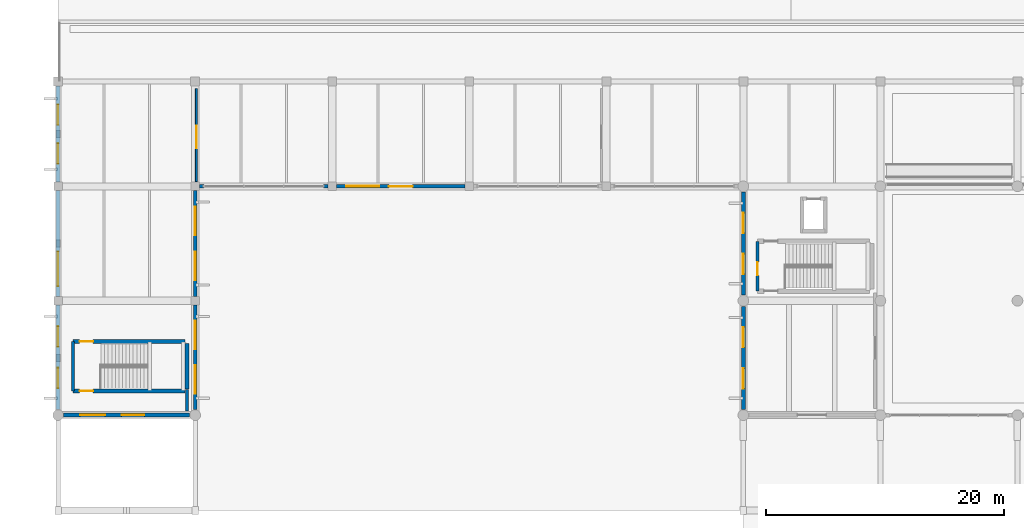
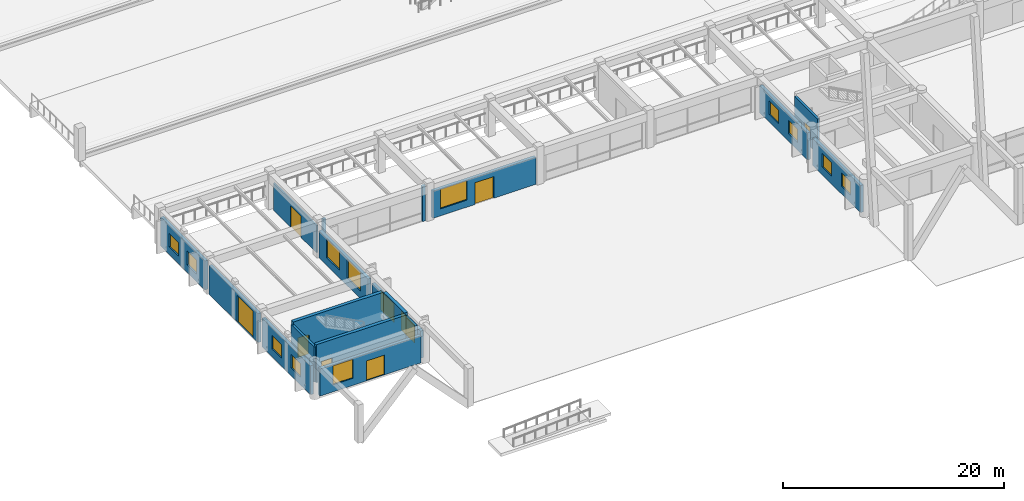
# One storey, part 77 of 109: 18 walls, 14 windows, 7 doors, 21 openings.
"""IFC4 building model written with IfcOpenShell, lengths in metres."""

from ifc_helpers import new_model, si_unit, direction, frame, frame_2d, origin, place, context, subcontext, project, spatial, rectangle, extrude, material, layer, layer_set, type_object, element, fill, save


model = new_model("IFC4")

# Units and contexts
model_context = context("Model", 3, precision=1e-05, world=origin(), true_north=direction((0.0, 1.0)))
body_context = subcontext(model_context, "Body", "Model", "MODEL_VIEW")
ifc_project = project(units=[si_unit("LENGTHUNIT", "METRE"), si_unit("AREAUNIT", "SQUARE_METRE"), si_unit("VOLUMEUNIT", "CUBIC_METRE"), si_unit("PLANEANGLEUNIT", "RADIAN"), si_unit("MASSUNIT", "GRAM", prefix="KILO")], contexts=[model_context])

# Site, building, storey
site_placement = place(None, origin())
site = spatial("IfcSite", under=ifc_project, at=site_placement, CompositionType="ELEMENT")
building_placement = place(site_placement, origin())
building = spatial("IfcBuilding", under=site, at=building_placement, Name="Ologun Quay Terminus", CompositionType="ELEMENT")
storey_placement = place(building_placement, origin())
storey = spatial("IfcBuildingStorey", under=building, at=storey_placement, Name="L00", CompositionType="ELEMENT", Elevation=0.0)

# Walls
ifc_material_1 = material(Name="Concrete C40/50", Category="concrete")
ifc_layer_1 = layer(ifc_material_1, 0.280029296875)
ifc_layer_set_1 = layer_set([ifc_layer_1], Name="Concrete C40/50")
wall_type_1 = type_object("IfcWallType", Name="Courtyard Wing Spandrel Concrete Wall 280", PredefinedType="SOLIDWALL", material=ifc_layer_set_1)
for number, where, z_axis, x_axis, name in (
    (1, (11.8701171875, 27.199951171875, 0.0), (0.0, 0.0, 1.0), (1.0, 0.0, 0.0), "Curtain Wall Jamb Pier CW-L00-001-J1"),
    (2, (22.280029296875, 27.199951171875, 0.0), (0.0, 0.0, 1.0), (1.0, 0.0, 0.0), "Curtain Wall Jamb Pier CW-L00-001-J2"),
):
    element("IfcWall", number, at=place(storey_placement, frame(where, z_axis=z_axis, x_axis=x_axis)), inside=storey, type_object=wall_type_1, Name=name, PredefinedType="SOLIDWALL", context=body_context, shape_type="SweptSolid", body=[
        extrude(rectangle(XDim=0.349853515625, YDim=0.280029296875, at=frame_2d((0.1748046875, 0.0))), origin(), (0.0, 0.0, 1.0), 3.8798828125),
    ])
ifc_material_2 = material(Name="Concrete C40/50", Category="concrete")
ifc_layer_2 = layer(ifc_material_2, 0.239990234375)
ifc_layer_set_2 = layer_set([ifc_layer_2], Name="Concrete C40/50")
wall_type_2 = type_object("IfcWallType", Name="Fire Compartment Blockwork Wall 240", PredefinedType="SOLIDWALL", material=ifc_layer_set_2)
wall_1_placement = place(storey_placement, frame((1.25, 10.02001953125, 0.0), z_axis=(0.0, 0.0, 1.0), x_axis=(0.0, 1.0, 0.0)))
element("IfcWall", 3, at=wall_1_placement, inside=storey, type_object=wall_type_2, Name="PW-01 Partition ST-S1-W", PredefinedType="SOLIDWALL", context=body_context, shape_type="SweptSolid", body=[
    extrude(rectangle(XDim=4.159912109375, YDim=0.239990234375, at=frame_2d((2.080078125, 0.0))), origin(), (0.0, 0.0, 1.0), 3.8798828125),
])

# Wall, opening, door
wall_2_placement = place(storey_placement, frame((58.699951171875, 18.419921875, 0.0), z_axis=(0.0, 0.0, 1.0), x_axis=(0.0, 1.0, 0.0)))
wall_2 = element("IfcWall", 4, at=wall_2_placement, inside=storey, type_object=wall_type_2, Name="PW-01 Partition ST-S3-W", PredefinedType="SOLIDWALL", context=body_context, shape_type="SweptSolid", body=[
    extrude(rectangle(XDim=4.16015625, YDim=0.239990234375, at=frame_2d((2.080078125, 0.0))), origin(), (0.0, 0.0, 1.0), 3.8798828125),
])
opening_1_placement = place(wall_2_placement, frame((1.300048828125, 0.0, 0.0)))
opening_1 = element("IfcOpeningElement", 5, at=opening_1_placement, cuts=wall_2, Name="Opening ID-252", PredefinedType="OPENING", context=body_context, shape_type="SweptSolid", body=[
    extrude(rectangle(XDim=1.1298828125, YDim=2.14990234375, at=frame_2d((0.56494140625, 1.074951171875))), frame((0.0, 0.1298828125, 0.0), z_axis=(0.0, -1.0, 0.0), x_axis=(1.0, 0.0, 0.0)), (0.0, 0.0, 1.0), 0.260009765625),
])
ifc_material_3 = material(Name="Steel S355", Category="steel")
door_type_1 = type_object("IfcDoorType", Name="Stairwell Fire Escape Door 1130x2150", OperationType="SINGLE_SWING_LEFT", PredefinedType="DOOR", material=ifc_material_3)
door_1_placement = place(opening_1_placement, origin())
door_1 = element("IfcDoor", 6, at=door_1_placement, inside=storey, type_object=door_type_1, Name="FD-01 Door ID-252", OperationType="SINGLE_SWING_LEFT", OverallHeight=2.14990234375, OverallWidth=1.1298828125, PredefinedType="DOOR", context=body_context, shape_type="SweptSolid", body=[
    extrude(rectangle(XDim=1.1298828125, YDim=2.14990234375, at=frame_2d((0.56494140625, 1.074951171875))), frame((0.0, 0.02490234375, 0.0), z_axis=(0.0, -1.0, 0.0), x_axis=(1.0, 0.0, 0.0)), (0.0, 0.0, 1.0), 0.050048828125),
])
fill(opening_1, door_1)

# Wall
wall_3_placement = place(storey_placement, frame((10.824951171875, 8.35009765625, 0.0), z_axis=(0.0, 0.0, 1.0), x_axis=(0.0, 1.0, 0.0)))
element("IfcWall", 7, at=wall_3_placement, inside=storey, type_object=wall_type_2, Name="PW-01 Partition L00-EXPS1-E", PredefinedType="SOLIDWALL", context=body_context, shape_type="SweptSolid", body=[
    extrude(rectangle(XDim=1.7998046875, YDim=0.239990234375, at=frame_2d((0.89990234375, 0.0))), origin(), (0.0, 0.0, 1.0), 3.8798828125),
])

# Wall, openings, window, door
ifc_material_4 = material(Name="Concrete C40/50", Category="concrete")
ifc_layer_3 = layer(ifc_material_4, 0.320068359375)
ifc_layer_set_3 = layer_set([ifc_layer_3], Name="Concrete C40/50")
wall_type_3 = type_object("IfcWallType", Name="Podium Sculpted Concrete Facade Wall 320", PredefinedType="SOLIDWALL", material=ifc_layer_set_3)
wall_4_placement = place(storey_placement, frame((0.469970703125, 8.0, 0.0), z_axis=(0.0, 0.0, 1.0), x_axis=(1.0, 0.0, 0.0)))
wall_4 = element("IfcWall", 8, at=wall_4_placement, inside=storey, type_object=wall_type_3, Name="EW-01 Facade Wall WEW-SA-L00-1-1", PredefinedType="SOLIDWALL", context=body_context, shape_type="SweptSolid", body=[
    extrude(rectangle(XDim=10.56005859375, YDim=0.320068359375, at=frame_2d((5.280029296875, 0.0))), origin(), (0.0, 0.0, 1.0), 3.0),
])
opening_2_placement = place(wall_4_placement, frame((4.85791015625, 0.0, 0.0)))
opening_2 = element("IfcOpeningElement", 9, at=opening_2_placement, cuts=wall_4, Name="Opening ED-001", PredefinedType="OPENING", context=body_context, shape_type="SweptSolid", body=[
    extrude(rectangle(XDim=1.89990234375, YDim=2.199951171875, at=frame_2d((0.949951171875, 1.10009765625))), frame((0.0, 0.169921875, 0.0), z_axis=(0.0, -1.0, 0.0), x_axis=(1.0, 0.0, 0.0)), (0.0, 0.0, 1.0), 0.340087890625),
])
opening_3_placement = place(wall_4_placement, frame((1.37890625, 0.0, 0.780029296875)))
opening_3 = element("IfcOpeningElement", 10, at=opening_3_placement, cuts=wall_4, Name="Opening WN-001", PredefinedType="OPENING", context=body_context, shape_type="SweptSolid", body=[
    extrude(rectangle(XDim=2.10009765625, YDim=2.10009765625, at=frame_2d((1.050048828125, 1.050048828125))), frame((0.0, 0.169921875, 0.0), z_axis=(0.0, -1.0, 0.0), x_axis=(1.0, 0.0, 0.0)), (0.0, 0.0, 1.0), 0.340087890625),
])
ifc_material_5 = material(Name="Glass", Category="glass")
window_type_1 = type_object("IfcWindowType", Name="Retail Corner Window 2100x2100", PartitioningType="SINGLE_PANEL", PredefinedType="WINDOW", material=ifc_material_5)
window_1_placement = place(opening_3_placement, origin())
window_1 = element("IfcWindow", 11, at=window_1_placement, inside=storey, type_object=window_type_1, Name="W-02 Window WN-001", OverallHeight=2.10009765625, OverallWidth=2.10009765625, PartitioningType="SINGLE_PANEL", PredefinedType="WINDOW", context=body_context, shape_type="SweptSolid", body=[
    extrude(rectangle(XDim=2.10009765625, YDim=2.10009765625, at=frame_2d((1.050048828125, 1.050048828125))), frame((0.0, 0.030029296875, 0.0), z_axis=(0.0, -1.0, 0.0), x_axis=(1.0, 0.0, 0.0)), (0.0, 0.0, 1.0), 0.06005859375),
])
fill(opening_3, window_1)
ifc_material_6 = material(Name="Steel S355", Category="steel")
door_type_2 = type_object("IfcDoorType", Name="Station Perimeter Final Exit Pair 1900x2200", OperationType="DOUBLE_DOOR_SINGLE_SWING", PredefinedType="DOOR", material=ifc_material_6)
door_2_placement = place(opening_2_placement, frame((0.949951171875, 0.0, 0.0), z_axis=(0.0, 0.0, 1.0), x_axis=(-1.0, 0.0, 0.0)))
door_2 = element("IfcDoor", 12, at=door_2_placement, inside=storey, type_object=door_type_2, Name="D-04 Exterior Door ED-001", OperationType="DOUBLE_DOOR_SINGLE_SWING", OverallHeight=2.199951171875, OverallWidth=1.89990234375, PredefinedType="DOOR", context=body_context, shape_type="SweptSolid", body=[
    extrude(rectangle(XDim=1.89990234375, YDim=2.199951171875, at=frame_2d((0.0, 1.10009765625))), frame((0.0, 0.02490234375, 0.0), z_axis=(0.0, -1.0, 0.0), x_axis=(1.0, 0.0, 0.0)), (0.0, 0.0, 1.0), 0.050048828125),
])
fill(opening_2, door_2)

# Wall, openings, windows
wall_5_placement = place(storey_placement, frame((11.5, 8.469970703125, 0.0), z_axis=(0.0, 0.0, 1.0), x_axis=(0.0, 1.0, 0.0)))
wall_5 = element("IfcWall", 13, at=wall_5_placement, inside=storey, type_object=wall_type_3, Name="EW-01 Facade Wall WEW-SA-L00-1-2", PredefinedType="SOLIDWALL", context=body_context, shape_type="SweptSolid", body=[
    extrude(rectangle(XDim=8.760009765625, YDim=0.320068359375, at=frame_2d((4.3798828125, 0.0))), origin(), (0.0, 0.0, 1.0), 3.0),
])
opening_4_placement = place(wall_5_placement, frame((1.320068359375, 0.0, 0.840087890625)))
opening_4 = element("IfcOpeningElement", 14, at=opening_4_placement, cuts=wall_5, Name="Opening WN-002", PredefinedType="OPENING", context=body_context, shape_type="SweptSolid", body=[
    extrude(rectangle(XDim=2.39990234375, YDim=2.10009765625, at=frame_2d((1.199951171875, 1.050048828125))), frame((0.0, 0.169921875, 0.0), z_axis=(0.0, -1.0, 0.0), x_axis=(1.0, 0.0, 0.0)), (0.0, 0.0, 1.0), 0.340087890625),
])
opening_5_placement = place(wall_5_placement, frame((5.0400390625, 0.0, 0.840087890625)))
opening_5 = element("IfcOpeningElement", 15, at=opening_5_placement, cuts=wall_5, Name="Opening WN-003", PredefinedType="OPENING", context=body_context, shape_type="SweptSolid", body=[
    extrude(rectangle(XDim=2.39990234375, YDim=2.10009765625, at=frame_2d((1.199951171875, 1.050048828125))), frame((0.0, 0.169921875, 0.0), z_axis=(0.0, -1.0, 0.0), x_axis=(1.0, 0.0, 0.0)), (0.0, 0.0, 1.0), 0.340087890625),
])
ifc_material_7 = material(Name="Glass", Category="glass")
window_type_2 = type_object("IfcWindowType", Name="Retail Display Window 2400x2100", PartitioningType="SINGLE_PANEL", PredefinedType="WINDOW", material=ifc_material_7)
window_2_placement = place(opening_4_placement, origin())
window_2 = element("IfcWindow", 16, at=window_2_placement, inside=storey, type_object=window_type_2, Name="W-01 Window WN-002", OverallHeight=2.10009765625, OverallWidth=2.39990234375, PartitioningType="SINGLE_PANEL", PredefinedType="WINDOW", context=body_context, shape_type="SweptSolid", body=[
    extrude(rectangle(XDim=2.39990234375, YDim=2.10009765625, at=frame_2d((1.199951171875, 1.050048828125))), frame((0.0, 0.030029296875, 0.0), z_axis=(0.0, -1.0, 0.0), x_axis=(1.0, 0.0, 0.0)), (0.0, 0.0, 1.0), 0.06005859375),
])
fill(opening_4, window_2)
window_3_placement = place(opening_5_placement, origin())
window_3 = element("IfcWindow", 17, at=window_3_placement, inside=storey, type_object=window_type_2, Name="W-01 Window WN-003", OverallHeight=2.10009765625, OverallWidth=2.39990234375, PartitioningType="SINGLE_PANEL", PredefinedType="WINDOW", context=body_context, shape_type="SweptSolid", body=[
    extrude(rectangle(XDim=2.39990234375, YDim=2.10009765625, at=frame_2d((1.199951171875, 1.050048828125))), frame((0.0, 0.030029296875, 0.0), z_axis=(0.0, -1.0, 0.0), x_axis=(1.0, 0.0, 0.0)), (0.0, 0.0, 1.0), 0.06005859375),
])
fill(opening_5, window_3)

wall_6_placement = place(storey_placement, frame((11.5, 17.969970703125, 0.0), z_axis=(0.0, 0.0, 1.0), x_axis=(0.0, 1.0, 0.0)))
wall_6 = element("IfcWall", 18, at=wall_6_placement, inside=storey, type_object=wall_type_3, Name="EW-01 Facade Wall WEW-SA-L00-1-3", PredefinedType="SOLIDWALL", context=body_context, shape_type="SweptSolid", body=[
    extrude(rectangle(XDim=8.860107421875, YDim=0.320068359375, at=frame_2d((4.43017578125, 0.0))), origin(), (0.0, 0.0, 1.0), 3.0),
])
opening_6_placement = place(wall_6_placement, frame((1.353271484375, 0.0, 0.840087890625)))
opening_6 = element("IfcOpeningElement", 19, at=opening_6_placement, cuts=wall_6, Name="Opening WN-004", PredefinedType="OPENING", context=body_context, shape_type="SweptSolid", body=[
    extrude(rectangle(XDim=2.39990234375, YDim=2.10009765625, at=frame_2d((1.199951171875, 1.050048828125))), frame((0.0, 0.169921875, 0.0), z_axis=(0.0, -1.0, 0.0), x_axis=(1.0, 0.0, 0.0)), (0.0, 0.0, 1.0), 0.340087890625),
])
opening_7_placement = place(wall_6_placement, frame((5.106689453125, 0.0, 0.840087890625)))
opening_7 = element("IfcOpeningElement", 20, at=opening_7_placement, cuts=wall_6, Name="Opening WN-005", PredefinedType="OPENING", context=body_context, shape_type="SweptSolid", body=[
    extrude(rectangle(XDim=2.39990234375, YDim=2.10009765625, at=frame_2d((1.199951171875, 1.050048828125))), frame((0.0, 0.169921875, 0.0), z_axis=(0.0, -1.0, 0.0), x_axis=(1.0, 0.0, 0.0)), (0.0, 0.0, 1.0), 0.340087890625),
])
window_4_placement = place(opening_6_placement, origin())
window_4 = element("IfcWindow", 21, at=window_4_placement, inside=storey, type_object=window_type_2, Name="W-01 Window WN-004", OverallHeight=2.10009765625, OverallWidth=2.39990234375, PartitioningType="SINGLE_PANEL", PredefinedType="WINDOW", context=body_context, shape_type="SweptSolid", body=[
    extrude(rectangle(XDim=2.39990234375, YDim=2.10009765625, at=frame_2d((1.199951171875, 1.050048828125))), frame((0.0, 0.030029296875, 0.0), z_axis=(0.0, -1.0, 0.0), x_axis=(1.0, 0.0, 0.0)), (0.0, 0.0, 1.0), 0.06005859375),
])
fill(opening_6, window_4)
window_5_placement = place(opening_7_placement, origin())
window_5 = element("IfcWindow", 22, at=window_5_placement, inside=storey, type_object=window_type_2, Name="W-01 Window WN-005", OverallHeight=2.10009765625, OverallWidth=2.39990234375, PartitioningType="SINGLE_PANEL", PredefinedType="WINDOW", context=body_context, shape_type="SweptSolid", body=[
    extrude(rectangle(XDim=2.39990234375, YDim=2.10009765625, at=frame_2d((1.199951171875, 1.050048828125))), frame((0.0, 0.030029296875, 0.0), z_axis=(0.0, -1.0, 0.0), x_axis=(1.0, 0.0, 0.0)), (0.0, 0.0, 1.0), 0.06005859375),
])
fill(opening_7, window_5)

# Wall, openings, window, door
wall_7_placement = place(storey_placement, frame((23.3701171875, 27.199951171875, 0.0), z_axis=(0.0, 0.0, 1.0), x_axis=(1.0, 0.0, 0.0)))
wall_7 = element("IfcWall", 23, at=wall_7_placement, inside=storey, type_object=wall_type_3, Name="EW-01 Facade Wall WEW-FC-L00-1-5", PredefinedType="SOLIDWALL", context=body_context, shape_type="SweptSolid", body=[
    extrude(rectangle(XDim=10.759765625, YDim=0.320068359375, at=frame_2d((5.3798828125, 0.0))), origin(), (0.0, 0.0, 1.0), 3.0),
])
opening_8_placement = place(wall_7_placement, frame((4.3798828125, 0.0, 0.0)))
opening_8 = element("IfcOpeningElement", 24, at=opening_8_placement, cuts=wall_7, Name="Opening ED-002", PredefinedType="OPENING", context=body_context, shape_type="SweptSolid", body=[
    extrude(rectangle(XDim=2.0, YDim=2.39990234375, at=frame_2d((1.0, 1.199951171875))), frame((0.0, 0.169921875, 0.0), z_axis=(0.0, -1.0, 0.0), x_axis=(1.0, 0.0, 0.0)), (0.0, 0.0, 1.0), 0.340087890625),
])
opening_9_placement = place(wall_7_placement, frame((0.81494140625, 0.0, 0.780029296875)))
opening_9 = element("IfcOpeningElement", 25, at=opening_9_placement, cuts=wall_7, Name="Opening WN-006", PredefinedType="OPENING", context=body_context, shape_type="SweptSolid", body=[
    extrude(rectangle(XDim=2.75, YDim=2.14990234375, at=frame_2d((1.375, 1.074951171875))), frame((0.0, 0.169921875, 0.0), z_axis=(0.0, -1.0, 0.0), x_axis=(1.0, 0.0, 0.0)), (0.0, 0.0, 1.0), 0.340087890625),
])
ifc_material_8 = material(Name="Glass", Category="glass")
window_type_3 = type_object("IfcWindowType", Name="Bookshop Showcase Window 2750x2150", PartitioningType="SINGLE_PANEL", PredefinedType="WINDOW", material=ifc_material_8)
window_6_placement = place(opening_9_placement, origin())
window_6 = element("IfcWindow", 26, at=window_6_placement, inside=storey, type_object=window_type_3, Name="W-33 Window WN-006", OverallHeight=2.14990234375, OverallWidth=2.75, PartitioningType="SINGLE_PANEL", PredefinedType="WINDOW", context=body_context, shape_type="SweptSolid", body=[
    extrude(rectangle(XDim=2.75, YDim=2.14990234375, at=frame_2d((1.375, 1.074951171875))), frame((0.0, 0.030029296875, 0.0), z_axis=(0.0, -1.0, 0.0), x_axis=(1.0, 0.0, 0.0)), (0.0, 0.0, 1.0), 0.06005859375),
])
fill(opening_9, window_6)
ifc_material_9 = material(Name="Glass", Category="glass")
door_type_3 = type_object("IfcDoorType", Name="Promenade Retail Entrance Double Door 2000x2400", OperationType="DOUBLE_DOOR_SINGLE_SWING", PredefinedType="DOOR", material=ifc_material_9)
door_3_placement = place(opening_8_placement, frame((1.0, 0.0, 0.0), z_axis=(0.0, 0.0, 1.0), x_axis=(-1.0, 0.0, 0.0)))
door_3 = element("IfcDoor", 27, at=door_3_placement, inside=storey, type_object=door_type_3, Name="D-02 Exterior Door ED-002", OperationType="DOUBLE_DOOR_SINGLE_SWING", OverallHeight=2.39990234375, OverallWidth=2.0, PredefinedType="DOOR", context=body_context, shape_type="SweptSolid", body=[
    extrude(rectangle(XDim=2.0, YDim=2.39990234375, at=frame_2d((0.0, 1.199951171875))), frame((0.0, 0.02490234375, 0.0), z_axis=(0.0, -1.0, 0.0), x_axis=(1.0, 0.0, 0.0)), (0.0, 0.0, 1.0), 0.050048828125),
])
fill(opening_8, door_3)

# Wall, openings, windows
wall_8_placement = place(storey_placement, frame((0.0, 8.469970703125, 0.0), z_axis=(0.0, 0.0, 1.0), x_axis=(0.0, 1.0, 0.0)))
wall_8 = element("IfcWall", 28, at=wall_8_placement, inside=storey, type_object=wall_type_3, Name="EW-01 Facade Wall WEW-SA-L00-1-14", PredefinedType="SOLIDWALL", context=body_context, shape_type="SweptSolid", body=[
    extrude(rectangle(XDim=8.760009765625, YDim=0.320068359375, at=frame_2d((4.3798828125, 0.0))), origin(), (0.0, 0.0, 1.0), 3.199951171875),
])
opening_10_placement = place(wall_8_placement, frame((1.78662109375, 0.0, 0.85009765625)))
opening_10 = element("IfcOpeningElement", 29, at=opening_10_placement, cuts=wall_8, Name="Opening WN-007", PredefinedType="OPENING", context=body_context, shape_type="SweptSolid", body=[
    extrude(rectangle(XDim=1.699951171875, YDim=1.5, at=frame_2d((0.85009765625, 0.75))), frame((0.0, 0.169921875, 0.0), z_axis=(0.0, -1.0, 0.0), x_axis=(1.0, 0.0, 0.0)), (0.0, 0.0, 1.0), 0.340087890625),
])
opening_11_placement = place(wall_8_placement, frame((5.273193359375, 0.0, 0.85009765625)))
opening_11 = element("IfcOpeningElement", 30, at=opening_11_placement, cuts=wall_8, Name="Opening WN-008", PredefinedType="OPENING", context=body_context, shape_type="SweptSolid", body=[
    extrude(rectangle(XDim=1.699951171875, YDim=1.5, at=frame_2d((0.85009765625, 0.75))), frame((0.0, 0.169921875, 0.0), z_axis=(0.0, -1.0, 0.0), x_axis=(1.0, 0.0, 0.0)), (0.0, 0.0, 1.0), 0.340087890625),
])
ifc_material_10 = material(Name="Glass", Category="glass")
window_type_4 = type_object("IfcWindowType", Name="Left Luggage Service Window 1700x1500", PartitioningType="SINGLE_PANEL", PredefinedType="WINDOW", material=ifc_material_10)
window_7_placement = place(opening_10_placement, origin())
window_7 = element("IfcWindow", 31, at=window_7_placement, inside=storey, type_object=window_type_4, Name="W-34 Window WN-007", OverallHeight=1.5, OverallWidth=1.699951171875, PartitioningType="SINGLE_PANEL", PredefinedType="WINDOW", context=body_context, shape_type="SweptSolid", body=[
    extrude(rectangle(XDim=1.699951171875, YDim=1.5, at=frame_2d((0.85009765625, 0.75))), frame((0.0, 0.030029296875, 0.0), z_axis=(0.0, -1.0, 0.0), x_axis=(1.0, 0.0, 0.0)), (0.0, 0.0, 1.0), 0.06005859375),
])
fill(opening_10, window_7)
window_8_placement = place(opening_11_placement, origin())
window_8 = element("IfcWindow", 32, at=window_8_placement, inside=storey, type_object=window_type_4, Name="W-34 Window WN-008", OverallHeight=1.5, OverallWidth=1.699951171875, PartitioningType="SINGLE_PANEL", PredefinedType="WINDOW", context=body_context, shape_type="SweptSolid", body=[
    extrude(rectangle(XDim=1.699951171875, YDim=1.5, at=frame_2d((0.85009765625, 0.75))), frame((0.0, 0.030029296875, 0.0), z_axis=(0.0, -1.0, 0.0), x_axis=(1.0, 0.0, 0.0)), (0.0, 0.0, 1.0), 0.06005859375),
])
fill(opening_11, window_8)

# Wall, opening, door
wall_9_placement = place(storey_placement, frame((0.0, 17.969970703125, 0.0), z_axis=(0.0, 0.0, 1.0), x_axis=(0.0, 1.0, 0.0)))
wall_9 = element("IfcWall", 33, at=wall_9_placement, inside=storey, type_object=wall_type_3, Name="EW-01 Facade Wall WEW-SA-L00-1-15", PredefinedType="SOLIDWALL", context=body_context, shape_type="SweptSolid", body=[
    extrude(rectangle(XDim=8.860107421875, YDim=0.320068359375, at=frame_2d((4.43017578125, 0.0))), origin(), (0.0, 0.0, 1.0), 3.199951171875),
])
opening_12_placement = place(wall_9_placement, frame((0.853515625, 0.0, 0.0)))
opening_12 = element("IfcOpeningElement", 34, at=opening_12_placement, cuts=wall_9, Name="Opening ED-003", PredefinedType="OPENING", context=body_context, shape_type="SweptSolid", body=[
    extrude(rectangle(XDim=2.89990234375, YDim=2.949951171875, at=frame_2d((1.449951171875, 1.47509765625))), frame((0.0, 0.169921875, 0.0), z_axis=(0.0, -1.0, 0.0), x_axis=(1.0, 0.0, 0.0)), (0.0, 0.0, 1.0), 0.340087890625),
])
ifc_material_11 = material(Name="Steel S355", Category="steel")
door_type_4 = type_object("IfcDoorType", Name="Parcel Yard Security Shutter Gate 2900x2950", OperationType="ROLLINGUP", PredefinedType="GATE", material=ifc_material_11)
door_4_placement = place(opening_12_placement, origin())
door_4 = element("IfcDoor", 35, at=door_4_placement, inside=storey, type_object=door_type_4, Name="D-14 Exterior Door ED-003", OperationType="ROLLINGUP", OverallHeight=2.949951171875, OverallWidth=2.89990234375, PredefinedType="GATE", context=body_context, shape_type="SweptSolid", body=[
    extrude(rectangle(XDim=2.89990234375, YDim=2.949951171875, at=frame_2d((1.449951171875, 1.47509765625))), frame((0.0, 0.02490234375, 0.0), z_axis=(0.0, -1.0, 0.0), x_axis=(1.0, 0.0, 0.0)), (0.0, 0.0, 1.0), 0.050048828125),
])
fill(opening_12, door_4)

# Wall, openings, windows
wall_10_placement = place(storey_placement, frame((0.0, 27.570068359375, 0.0), z_axis=(0.0, 0.0, 1.0), x_axis=(0.0, 1.0, 0.0)))
wall_10 = element("IfcWall", 36, at=wall_10_placement, inside=storey, type_object=wall_type_3, Name="EW-01 Facade Wall WEW-SA-L00-1-16", PredefinedType="SOLIDWALL", context=body_context, shape_type="SweptSolid", body=[
    extrude(rectangle(XDim=8.034912109375, YDim=0.320068359375, at=frame_2d((4.017578125, 0.0))), origin(), (0.0, 0.0, 1.0), 3.199951171875),
])
opening_13_placement = place(wall_10_placement, frame((1.544921875, 0.0, 0.85009765625)))
opening_13 = element("IfcOpeningElement", 37, at=opening_13_placement, cuts=wall_10, Name="Opening WN-009", PredefinedType="OPENING", context=body_context, shape_type="SweptSolid", body=[
    extrude(rectangle(XDim=1.699951171875, YDim=1.5, at=frame_2d((0.85009765625, 0.75))), frame((0.0, 0.169921875, 0.0), z_axis=(0.0, -1.0, 0.0), x_axis=(1.0, 0.0, 0.0)), (0.0, 0.0, 1.0), 0.340087890625),
])
opening_14_placement = place(wall_10_placement, frame((4.7900390625, 0.0, 0.85009765625)))
opening_14 = element("IfcOpeningElement", 38, at=opening_14_placement, cuts=wall_10, Name="Opening WN-010", PredefinedType="OPENING", context=body_context, shape_type="SweptSolid", body=[
    extrude(rectangle(XDim=1.699951171875, YDim=1.5, at=frame_2d((0.85009765625, 0.75))), frame((0.0, 0.169921875, 0.0), z_axis=(0.0, -1.0, 0.0), x_axis=(1.0, 0.0, 0.0)), (0.0, 0.0, 1.0), 0.340087890625),
])
window_9_placement = place(opening_13_placement, origin())
window_9 = element("IfcWindow", 39, at=window_9_placement, inside=storey, type_object=window_type_4, Name="W-34 Window WN-009", OverallHeight=1.5, OverallWidth=1.699951171875, PartitioningType="SINGLE_PANEL", PredefinedType="WINDOW", context=body_context, shape_type="SweptSolid", body=[
    extrude(rectangle(XDim=1.699951171875, YDim=1.5, at=frame_2d((0.85009765625, 0.75))), frame((0.0, 0.030029296875, 0.0), z_axis=(0.0, -1.0, 0.0), x_axis=(1.0, 0.0, 0.0)), (0.0, 0.0, 1.0), 0.06005859375),
])
fill(opening_13, window_9)
window_10_placement = place(opening_14_placement, origin())
window_10 = element("IfcWindow", 40, at=window_10_placement, inside=storey, type_object=window_type_4, Name="W-34 Window WN-010", OverallHeight=1.5, OverallWidth=1.699951171875, PartitioningType="SINGLE_PANEL", PredefinedType="WINDOW", context=body_context, shape_type="SweptSolid", body=[
    extrude(rectangle(XDim=1.699951171875, YDim=1.5, at=frame_2d((0.85009765625, 0.75))), frame((0.0, 0.030029296875, 0.0), z_axis=(0.0, -1.0, 0.0), x_axis=(1.0, 0.0, 0.0)), (0.0, 0.0, 1.0), 0.06005859375),
])
fill(opening_14, window_10)

wall_11_placement = place(storey_placement, frame((57.5, 8.469970703125, 0.0), z_axis=(0.0, 0.0, 1.0), x_axis=(0.0, 1.0, 0.0)))
wall_11 = element("IfcWall", 41, at=wall_11_placement, inside=storey, type_object=wall_type_3, Name="EW-01 Facade Wall WEW-SA-L00-2-16", PredefinedType="SOLIDWALL", context=body_context, shape_type="SweptSolid", body=[
    extrude(rectangle(XDim=8.659912109375, YDim=0.320068359375, at=frame_2d((4.330078125, 0.0))), origin(), (0.0, 0.0, 1.0), 3.0),
])
opening_15_placement = place(wall_11_placement, frame((1.75341796875, 0.0, 0.85009765625)))
opening_15 = element("IfcOpeningElement", 42, at=opening_15_placement, cuts=wall_11, Name="Opening WN-015", PredefinedType="OPENING", context=body_context, shape_type="SweptSolid", body=[
    extrude(rectangle(XDim=1.699951171875, YDim=1.5, at=frame_2d((0.85009765625, 0.75))), frame((0.0, 0.169921875, 0.0), z_axis=(0.0, -1.0, 0.0), x_axis=(1.0, 0.0, 0.0)), (0.0, 0.0, 1.0), 0.340087890625),
])
opening_16_placement = place(wall_11_placement, frame((5.206787109375, 0.0, 0.85009765625)))
opening_16 = element("IfcOpeningElement", 43, at=opening_16_placement, cuts=wall_11, Name="Opening WN-016", PredefinedType="OPENING", context=body_context, shape_type="SweptSolid", body=[
    extrude(rectangle(XDim=1.699951171875, YDim=1.5, at=frame_2d((0.85009765625, 0.75))), frame((0.0, 0.169921875, 0.0), z_axis=(0.0, -1.0, 0.0), x_axis=(1.0, 0.0, 0.0)), (0.0, 0.0, 1.0), 0.340087890625),
])
window_11_placement = place(opening_15_placement, origin())
window_11 = element("IfcWindow", 44, at=window_11_placement, inside=storey, type_object=window_type_4, Name="W-34 Window WN-015", OverallHeight=1.5, OverallWidth=1.699951171875, PartitioningType="SINGLE_PANEL", PredefinedType="WINDOW", context=body_context, shape_type="SweptSolid", body=[
    extrude(rectangle(XDim=1.699951171875, YDim=1.5, at=frame_2d((0.85009765625, 0.75))), frame((0.0, 0.030029296875, 0.0), z_axis=(0.0, -1.0, 0.0), x_axis=(1.0, 0.0, 0.0)), (0.0, 0.0, 1.0), 0.06005859375),
])
fill(opening_15, window_11)
window_12_placement = place(opening_16_placement, origin())
window_12 = element("IfcWindow", 45, at=window_12_placement, inside=storey, type_object=window_type_4, Name="W-34 Window WN-016", OverallHeight=1.5, OverallWidth=1.699951171875, PartitioningType="SINGLE_PANEL", PredefinedType="WINDOW", context=body_context, shape_type="SweptSolid", body=[
    extrude(rectangle(XDim=1.699951171875, YDim=1.5, at=frame_2d((0.85009765625, 0.75))), frame((0.0, 0.030029296875, 0.0), z_axis=(0.0, -1.0, 0.0), x_axis=(1.0, 0.0, 0.0)), (0.0, 0.0, 1.0), 0.06005859375),
])
fill(opening_16, window_12)

wall_12_placement = place(storey_placement, frame((57.5, 18.070068359375, 0.0), z_axis=(0.0, 0.0, 1.0), x_axis=(0.0, 1.0, 0.0)))
wall_12 = element("IfcWall", 46, at=wall_12_placement, inside=storey, type_object=wall_type_3, Name="EW-01 Facade Wall WEW-SA-L00-2-17", PredefinedType="SOLIDWALL", context=body_context, shape_type="SweptSolid", body=[
    extrude(rectangle(XDim=8.659912109375, YDim=0.320068359375, at=frame_2d((4.330078125, 0.0))), origin(), (0.0, 0.0, 1.0), 3.0),
])
opening_17_placement = place(wall_12_placement, frame((1.75341796875, 0.0, 0.85009765625)))
opening_17 = element("IfcOpeningElement", 47, at=opening_17_placement, cuts=wall_12, Name="Opening WN-017", PredefinedType="OPENING", context=body_context, shape_type="SweptSolid", body=[
    extrude(rectangle(XDim=1.699951171875, YDim=1.5, at=frame_2d((0.85009765625, 0.75))), frame((0.0, 0.169921875, 0.0), z_axis=(0.0, -1.0, 0.0), x_axis=(1.0, 0.0, 0.0)), (0.0, 0.0, 1.0), 0.340087890625),
])
opening_18_placement = place(wall_12_placement, frame((5.206787109375, 0.0, 0.85009765625)))
opening_18 = element("IfcOpeningElement", 48, at=opening_18_placement, cuts=wall_12, Name="Opening WN-018", PredefinedType="OPENING", context=body_context, shape_type="SweptSolid", body=[
    extrude(rectangle(XDim=1.699951171875, YDim=1.5, at=frame_2d((0.85009765625, 0.75))), frame((0.0, 0.169921875, 0.0), z_axis=(0.0, -1.0, 0.0), x_axis=(1.0, 0.0, 0.0)), (0.0, 0.0, 1.0), 0.340087890625),
])
window_13_placement = place(opening_17_placement, origin())
window_13 = element("IfcWindow", 49, at=window_13_placement, inside=storey, type_object=window_type_4, Name="W-34 Window WN-017", OverallHeight=1.5, OverallWidth=1.699951171875, PartitioningType="SINGLE_PANEL", PredefinedType="WINDOW", context=body_context, shape_type="SweptSolid", body=[
    extrude(rectangle(XDim=1.699951171875, YDim=1.5, at=frame_2d((0.85009765625, 0.75))), frame((0.0, 0.030029296875, 0.0), z_axis=(0.0, -1.0, 0.0), x_axis=(1.0, 0.0, 0.0)), (0.0, 0.0, 1.0), 0.06005859375),
])
fill(opening_17, window_13)
window_14_placement = place(opening_18_placement, origin())
window_14 = element("IfcWindow", 50, at=window_14_placement, inside=storey, type_object=window_type_4, Name="W-34 Window WN-018", OverallHeight=1.5, OverallWidth=1.699951171875, PartitioningType="SINGLE_PANEL", PredefinedType="WINDOW", context=body_context, shape_type="SweptSolid", body=[
    extrude(rectangle(XDim=1.699951171875, YDim=1.5, at=frame_2d((0.85009765625, 0.75))), frame((0.0, 0.030029296875, 0.0), z_axis=(0.0, -1.0, 0.0), x_axis=(1.0, 0.0, 0.0)), (0.0, 0.0, 1.0), 0.06005859375),
])
fill(opening_18, window_14)

# Wall, opening, door
ifc_material_12 = material(Name="Concrete C40/50", Category="concrete")
ifc_layer_4 = layer(ifc_material_12, 0.159912109375)
ifc_layer_set_4 = layer_set([ifc_layer_4], Name="Concrete C40/50")
wall_type_4 = type_object("IfcWallType", Name="Retail & Lounge Separation Wall 160", PredefinedType="PARTITIONING", material=ifc_layer_set_4)
wall_13_placement = place(storey_placement, frame((11.60009765625, 27.60009765625, 0.0), z_axis=(0.0, 0.0, 1.0), x_axis=(0.0, 1.0, 0.0)))
wall_13 = element("IfcWall", 51, at=wall_13_placement, inside=storey, type_object=wall_type_4, Name="PW-04 Partition L00-LeftLuggage-E", PredefinedType="PARTITIONING", context=body_context, shape_type="SweptSolid", body=[
    extrude(rectangle(XDim=7.7998046875, YDim=0.159912109375, at=frame_2d((3.89990234375, 0.0))), origin(), (0.0, 0.0, 1.0), 3.0),
])
opening_19_placement = place(wall_13_placement, frame((2.800048828125, 0.0, 0.0)))
opening_19 = element("IfcOpeningElement", 52, at=opening_19_placement, cuts=wall_13, Name="Opening ID-296", PredefinedType="OPENING", context=body_context, shape_type="SweptSolid", body=[
    extrude(rectangle(XDim=1.89990234375, YDim=2.35009765625, at=frame_2d((0.949951171875, 1.175048828125))), frame((0.0, 0.08984375, 0.0), z_axis=(0.0, -1.0, 0.0), x_axis=(1.0, 0.0, 0.0)), (0.0, 0.0, 1.0), 0.179931640625),
])
ifc_material_13 = material(Name="Glass", Category="glass")
door_type_5 = type_object("IfcDoorType", Name="Retail Shopfront Glazed Pair 1900x2350", OperationType="DOUBLE_DOOR_SINGLE_SWING", PredefinedType="DOOR", material=ifc_material_13)
door_5_placement = place(opening_19_placement, origin())
door_5 = element("IfcDoor", 53, at=door_5_placement, inside=storey, type_object=door_type_5, Name="ID-06 Door ID-296", OperationType="DOUBLE_DOOR_SINGLE_SWING", OverallHeight=2.35009765625, OverallWidth=1.89990234375, PredefinedType="DOOR", context=body_context, shape_type="SweptSolid", body=[
    extrude(rectangle(XDim=1.89990234375, YDim=2.35009765625, at=frame_2d((0.949951171875, 1.175048828125))), frame((0.0, 0.02490234375, 0.0), z_axis=(0.0, -1.0, 0.0), x_axis=(1.0, 0.0, 0.0)), (0.0, 0.0, 1.0), 0.050048828125),
])
fill(opening_19, door_5)

ifc_material_14 = material(Name="Concrete C40/50", Category="concrete")
ifc_layer_5 = layer(ifc_material_14, 0.35009765625)
ifc_layer_set_5 = layer_set([ifc_layer_5], Name="Concrete C40/50")
wall_type_5 = type_object("IfcWallType", Name="Station Core Shear Wall 350", PredefinedType="SHEAR", material=ifc_layer_set_5)
wall_14_placement = place(storey_placement, frame((1.25, 10.02490234375, 0.0), z_axis=(0.0, 0.0, 1.0), x_axis=(1.0, 0.0, 0.0)))
wall_14 = element("IfcWall", 54, at=wall_14_placement, inside=storey, type_object=wall_type_5, Name="Station Core 1 S Shear Wall L00", PredefinedType="SHEAR", context=body_context, shape_type="SweptSolid", body=[
    extrude(rectangle(XDim=9.39990234375, YDim=0.35009765625, at=frame_2d((4.699951171875, 0.0))), origin(), (0.0, 0.0, 1.0), 4.199951171875),
])
opening_20_placement = place(wall_14_placement, frame((0.550048828125, 0.0, 0.0)))
opening_20 = element("IfcOpeningElement", 55, at=opening_20_placement, cuts=wall_14, Name="Opening ID-234", PredefinedType="OPENING", context=body_context, shape_type="SweptSolid", body=[
    extrude(rectangle(XDim=1.1298828125, YDim=2.14990234375, at=frame_2d((0.56494140625, 1.074951171875))), frame((0.0, 0.18505859375, 0.0), z_axis=(0.0, -1.0, 0.0), x_axis=(1.0, 0.0, 0.0)), (0.0, 0.0, 1.0), 0.3701171875),
])
door_6_placement = place(opening_20_placement, frame((0.56494140625, 0.0, 0.0), z_axis=(0.0, 0.0, 1.0), x_axis=(-1.0, 0.0, 0.0)))
door_6 = element("IfcDoor", 56, at=door_6_placement, inside=storey, type_object=door_type_1, Name="FD-01 Door ID-234", OperationType="SINGLE_SWING_LEFT", OverallHeight=2.14990234375, OverallWidth=1.1298828125, PredefinedType="DOOR", context=body_context, shape_type="SweptSolid", body=[
    extrude(rectangle(XDim=1.1298828125, YDim=2.14990234375, at=frame_2d((0.0, 1.074951171875))), frame((0.0, 0.02490234375, 0.0), z_axis=(0.0, -1.0, 0.0), x_axis=(1.0, 0.0, 0.0)), (0.0, 0.0, 1.0), 0.050048828125),
])
fill(opening_20, door_6)

wall_15_placement = place(storey_placement, frame((1.25, 14.175048828125, 0.0), z_axis=(0.0, 0.0, 1.0), x_axis=(1.0, 0.0, 0.0)))
wall_15 = element("IfcWall", 57, at=wall_15_placement, inside=storey, type_object=wall_type_5, Name="Station Core 1 N Shear Wall L00", PredefinedType="SHEAR", context=body_context, shape_type="SweptSolid", body=[
    extrude(rectangle(XDim=9.39990234375, YDim=0.35009765625, at=frame_2d((4.699951171875, 0.0))), origin(), (0.0, 0.0, 1.0), 4.199951171875),
])
opening_21_placement = place(wall_15_placement, frame((0.550048828125, 0.0, 0.0)))
opening_21 = element("IfcOpeningElement", 58, at=opening_21_placement, cuts=wall_15, Name="Opening ID-233", PredefinedType="OPENING", context=body_context, shape_type="SweptSolid", body=[
    extrude(rectangle(XDim=1.1298828125, YDim=2.14990234375, at=frame_2d((0.56494140625, 1.074951171875))), frame((0.0, 0.18505859375, 0.0), z_axis=(0.0, -1.0, 0.0), x_axis=(1.0, 0.0, 0.0)), (0.0, 0.0, 1.0), 0.3701171875),
])
door_7_placement = place(opening_21_placement, origin())
door_7 = element("IfcDoor", 59, at=door_7_placement, inside=storey, type_object=door_type_1, Name="FD-01 Door ID-233", OperationType="SINGLE_SWING_LEFT", OverallHeight=2.14990234375, OverallWidth=1.1298828125, PredefinedType="DOOR", context=body_context, shape_type="SweptSolid", body=[
    extrude(rectangle(XDim=1.1298828125, YDim=2.14990234375, at=frame_2d((0.56494140625, 1.074951171875))), frame((0.0, 0.02490234375, 0.0), z_axis=(0.0, -1.0, 0.0), x_axis=(1.0, 0.0, 0.0)), (0.0, 0.0, 1.0), 0.050048828125),
])
fill(opening_21, door_7)

# Wall
wall_16_placement = place(storey_placement, frame((10.824951171875, 10.199951171875, 0.0), z_axis=(0.0, 0.0, 1.0), x_axis=(0.0, 1.0, 0.0)))
element("IfcWall", 60, at=wall_16_placement, inside=storey, type_object=wall_type_5, Name="Station Core 1 E Shear Wall L00", PredefinedType="SHEAR", context=body_context, shape_type="SweptSolid", body=[
    extrude(rectangle(XDim=3.800048828125, YDim=0.35009765625, at=frame_2d((1.89990234375, 0.0))), origin(), (0.0, 0.0, 1.0), 4.199951171875),
])

save(model, "model.ifc")
